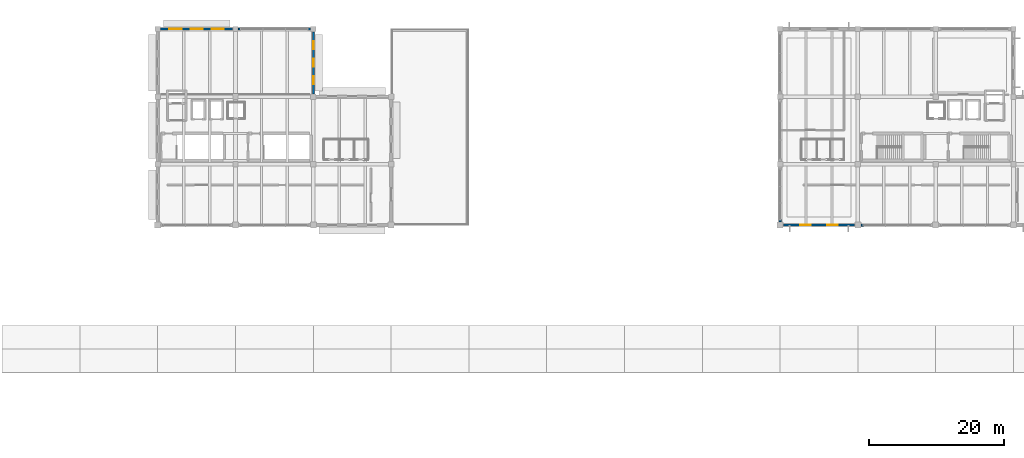
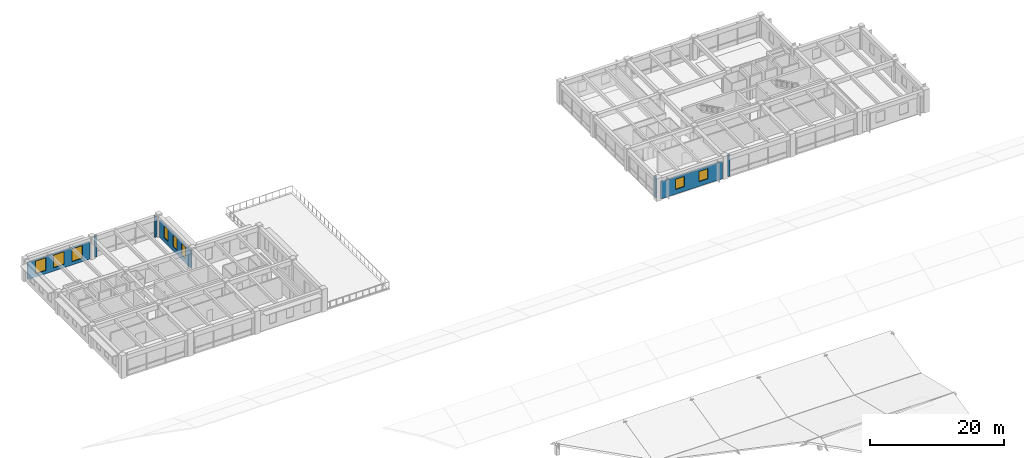
# One storey, part 27 of 33: 8 windows, 7 walls, 8 openings.
"""IFC4 building model written with IfcOpenShell, lengths in metres."""

from ifc_helpers import new_model, si_unit, direction, frame, frame_2d, origin, place, context, subcontext, project, spatial, rectangle, extrude, material, layer, layer_set, type_object, element, fill, save


model = new_model("IFC4")

# Units and contexts
model_context = context("Model", 3, precision=1e-05, world=origin(), true_north=direction((0.0, 1.0)))
body_context = subcontext(model_context, "Body", "Model", "MODEL_VIEW")
ifc_project = project(units=[si_unit("LENGTHUNIT", "METRE"), si_unit("AREAUNIT", "SQUARE_METRE"), si_unit("VOLUMEUNIT", "CUBIC_METRE"), si_unit("PLANEANGLEUNIT", "RADIAN"), si_unit("MASSUNIT", "GRAM", prefix="KILO")], contexts=[model_context])

# Site, building, storey
site_placement = place(None, origin())
site = spatial("IfcSite", under=ifc_project, at=site_placement, CompositionType="ELEMENT")
building_placement = place(site_placement, origin())
building = spatial("IfcBuilding", under=site, at=building_placement, Name="Ologun Quay Terminus", CompositionType="ELEMENT")
storey_placement = place(building_placement, frame((0.0, 0.0, 18.300048828125)))
storey = spatial("IfcBuildingStorey", under=building, at=storey_placement, Name="L04", CompositionType="ELEMENT", Elevation=18.300048828125)

# Wall, openings, windows
ifc_material_1 = material(Name="Concrete C40/50", Category="concrete")
ifc_layer = layer(ifc_material_1, 0.280029296875)
ifc_layer_set = layer_set([ifc_layer], Name="Concrete C40/50")
wall_type = type_object("IfcWallType", Name="Courtyard Wing Spandrel Concrete Wall 280", PredefinedType="SOLIDWALL", material=ifc_layer_set)
wall_1_placement = place(storey_placement, frame((46.0, 105.219970703125, 0.0), z_axis=(0.0, 0.0, 1.0), x_axis=(0.0, 1.0, 0.0)))
wall_1 = element("IfcWall", 1, at=wall_1_placement, inside=storey, type_object=wall_type, Name="EW-02 Facade Wall WEW-WW-O-L04-7", PredefinedType="SOLIDWALL", context=body_context, shape_type="SweptSolid", body=[
    extrude(rectangle(XDim=9.159912109375, YDim=0.280029296875, at=frame_2d((4.580078125, 0.0))), origin(), (0.0, 0.0, 1.0), 3.099853515625),
])
opening_1_placement = place(wall_1_placement, frame((1.389892578125, 0.0, 0.800048828125)))
opening_1 = element("IfcOpeningElement", 2, at=opening_1_placement, cuts=wall_1, Name="Opening WN-320", PredefinedType="OPENING", context=body_context, shape_type="SweptSolid", body=[
    extrude(rectangle(XDim=1.199951171875, YDim=2.10009765625, at=frame_2d((0.60009765625, 1.050048828125))), frame((0.0, 0.14990234375, 0.0), z_axis=(0.0, -1.0, 0.0), x_axis=(1.0, 0.0, 0.0)), (0.0, 0.0, 1.0), 0.300048828125),
])
opening_2_placement = place(wall_1_placement, frame((3.97998046875, 0.0, 0.800048828125)))
opening_2 = element("IfcOpeningElement", 3, at=opening_2_placement, cuts=wall_1, Name="Opening WN-321", PredefinedType="OPENING", context=body_context, shape_type="SweptSolid", body=[
    extrude(rectangle(XDim=1.199951171875, YDim=2.10009765625, at=frame_2d((0.60009765625, 1.050048828125))), frame((0.0, 0.14990234375, 0.0), z_axis=(0.0, -1.0, 0.0), x_axis=(1.0, 0.0, 0.0)), (0.0, 0.0, 1.0), 0.300048828125),
])
opening_3_placement = place(wall_1_placement, frame((6.570068359375, 0.0, 0.800048828125)))
opening_3 = element("IfcOpeningElement", 4, at=opening_3_placement, cuts=wall_1, Name="Opening WN-322", PredefinedType="OPENING", context=body_context, shape_type="SweptSolid", body=[
    extrude(rectangle(XDim=1.199951171875, YDim=2.10009765625, at=frame_2d((0.60009765625, 1.050048828125))), frame((0.0, 0.14990234375, 0.0), z_axis=(0.0, -1.0, 0.0), x_axis=(1.0, 0.0, 0.0)), (0.0, 0.0, 1.0), 0.300048828125),
])
ifc_material_2 = material(Name="Glass", Category="glass")
window_type_1 = type_object("IfcWindowType", Name="Archive Reading Slit Window 1200x2100", PartitioningType="SINGLE_PANEL", PredefinedType="WINDOW", material=ifc_material_2)
window_1_placement = place(opening_1_placement, origin())
window_1 = element("IfcWindow", 5, at=window_1_placement, inside=storey, type_object=window_type_1, Name="W-17 Window WN-320", OverallHeight=2.10009765625, OverallWidth=1.199951171875, PartitioningType="SINGLE_PANEL", PredefinedType="WINDOW", context=body_context, shape_type="SweptSolid", body=[
    extrude(rectangle(XDim=1.199951171875, YDim=2.10009765625, at=frame_2d((0.60009765625, 1.050048828125))), frame((0.0, 0.030029296875, 0.0), z_axis=(0.0, -1.0, 0.0), x_axis=(1.0, 0.0, 0.0)), (0.0, 0.0, 1.0), 0.06005859375),
])
fill(opening_1, window_1)
window_2_placement = place(opening_2_placement, origin())
window_2 = element("IfcWindow", 6, at=window_2_placement, inside=storey, type_object=window_type_1, Name="W-17 Window WN-321", OverallHeight=2.10009765625, OverallWidth=1.199951171875, PartitioningType="SINGLE_PANEL", PredefinedType="WINDOW", context=body_context, shape_type="SweptSolid", body=[
    extrude(rectangle(XDim=1.199951171875, YDim=2.10009765625, at=frame_2d((0.60009765625, 1.050048828125))), frame((0.0, 0.030029296875, 0.0), z_axis=(0.0, -1.0, 0.0), x_axis=(1.0, 0.0, 0.0)), (0.0, 0.0, 1.0), 0.06005859375),
])
fill(opening_2, window_2)
window_3_placement = place(opening_3_placement, origin())
window_3 = element("IfcWindow", 7, at=window_3_placement, inside=storey, type_object=window_type_1, Name="W-17 Window WN-322", OverallHeight=2.10009765625, OverallWidth=1.199951171875, PartitioningType="SINGLE_PANEL", PredefinedType="WINDOW", context=body_context, shape_type="SweptSolid", body=[
    extrude(rectangle(XDim=1.199951171875, YDim=2.10009765625, at=frame_2d((0.60009765625, 1.050048828125))), frame((0.0, 0.030029296875, 0.0), z_axis=(0.0, -1.0, 0.0), x_axis=(1.0, 0.0, 0.0)), (0.0, 0.0, 1.0), 0.06005859375),
])
fill(opening_3, window_3)

wall_2_placement = place(storey_placement, frame((23.419921875, 114.800048828125, 0.0), z_axis=(0.0, 0.0, 1.0), x_axis=(1.0, 0.0, 0.0)))
wall_2 = element("IfcWall", 8, at=wall_2_placement, inside=storey, type_object=wall_type, Name="EW-02 Facade Wall WEW-WW-N-L04-8", PredefinedType="SOLIDWALL", context=body_context, shape_type="SweptSolid", body=[
    extrude(rectangle(XDim=10.66015625, YDim=0.280029296875, at=frame_2d((5.330078125, 0.0))), origin(), (0.0, 0.0, 1.0), 3.099853515625),
])
opening_4_placement = place(wall_2_placement, frame((1.31494140625, 0.0, 0.60009765625)))
opening_4 = element("IfcOpeningElement", 9, at=opening_4_placement, cuts=wall_2, Name="Opening WN-323", PredefinedType="OPENING", context=body_context, shape_type="SweptSolid", body=[
    extrude(rectangle(XDim=1.800048828125, YDim=2.300048828125, at=frame_2d((0.89990234375, 1.14990234375))), frame((0.0, 0.14990234375, 0.0), z_axis=(0.0, -1.0, 0.0), x_axis=(1.0, 0.0, 0.0)), (0.0, 0.0, 1.0), 0.300048828125),
])
opening_5_placement = place(wall_2_placement, frame((4.429931640625, 0.0, 0.60009765625)))
opening_5 = element("IfcOpeningElement", 10, at=opening_5_placement, cuts=wall_2, Name="Opening WN-324", PredefinedType="OPENING", context=body_context, shape_type="SweptSolid", body=[
    extrude(rectangle(XDim=1.800048828125, YDim=2.300048828125, at=frame_2d((0.89990234375, 1.14990234375))), frame((0.0, 0.14990234375, 0.0), z_axis=(0.0, -1.0, 0.0), x_axis=(1.0, 0.0, 0.0)), (0.0, 0.0, 1.0), 0.300048828125),
])
opening_6_placement = place(wall_2_placement, frame((7.544921875, 0.0, 0.60009765625)))
opening_6 = element("IfcOpeningElement", 11, at=opening_6_placement, cuts=wall_2, Name="Opening WN-325", PredefinedType="OPENING", context=body_context, shape_type="SweptSolid", body=[
    extrude(rectangle(XDim=1.800048828125, YDim=2.300048828125, at=frame_2d((0.89990234375, 1.14990234375))), frame((0.0, 0.14990234375, 0.0), z_axis=(0.0, -1.0, 0.0), x_axis=(1.0, 0.0, 0.0)), (0.0, 0.0, 1.0), 0.300048828125),
])
ifc_material_3 = material(Name="Glass", Category="glass")
window_type_2 = type_object("IfcWindowType", Name="Tea Pavilion Arched Reveal Window 1800x2300", PartitioningType="SINGLE_PANEL", PredefinedType="WINDOW", material=ifc_material_3)
window_4_placement = place(opening_4_placement, origin())
window_4 = element("IfcWindow", 12, at=window_4_placement, inside=storey, type_object=window_type_2, Name="W-16 Window WN-323", OverallHeight=2.300048828125, OverallWidth=1.800048828125, PartitioningType="SINGLE_PANEL", PredefinedType="WINDOW", context=body_context, shape_type="SweptSolid", body=[
    extrude(rectangle(XDim=1.800048828125, YDim=2.300048828125, at=frame_2d((0.89990234375, 1.14990234375))), frame((0.0, 0.030029296875, 0.0), z_axis=(0.0, -1.0, 0.0), x_axis=(1.0, 0.0, 0.0)), (0.0, 0.0, 1.0), 0.06005859375),
])
fill(opening_4, window_4)
window_5_placement = place(opening_5_placement, origin())
window_5 = element("IfcWindow", 13, at=window_5_placement, inside=storey, type_object=window_type_2, Name="W-16 Window WN-324", OverallHeight=2.300048828125, OverallWidth=1.800048828125, PartitioningType="SINGLE_PANEL", PredefinedType="WINDOW", context=body_context, shape_type="SweptSolid", body=[
    extrude(rectangle(XDim=1.800048828125, YDim=2.300048828125, at=frame_2d((0.89990234375, 1.14990234375))), frame((0.0, 0.030029296875, 0.0), z_axis=(0.0, -1.0, 0.0), x_axis=(1.0, 0.0, 0.0)), (0.0, 0.0, 1.0), 0.06005859375),
])
fill(opening_5, window_5)
window_6_placement = place(opening_6_placement, origin())
window_6 = element("IfcWindow", 14, at=window_6_placement, inside=storey, type_object=window_type_2, Name="W-16 Window WN-325", OverallHeight=2.300048828125, OverallWidth=1.800048828125, PartitioningType="SINGLE_PANEL", PredefinedType="WINDOW", context=body_context, shape_type="SweptSolid", body=[
    extrude(rectangle(XDim=1.800048828125, YDim=2.300048828125, at=frame_2d((0.89990234375, 1.14990234375))), frame((0.0, 0.030029296875, 0.0), z_axis=(0.0, -1.0, 0.0), x_axis=(1.0, 0.0, 0.0)), (0.0, 0.0, 1.0), 0.06005859375),
])
fill(opening_6, window_6)

# Walls
for number, where, z_axis, x_axis, name in (
    (15, (34.919921875, 114.800048828125, 0.0), (0.0, 0.0, 1.0), (1.0, 0.0, 0.0), "Curtain Wall Jamb Pier CW-L04-117-J1"),
    (16, (45.22998046875, 114.800048828125, 0.0), (0.0, 0.0, 1.0), (1.0, 0.0, 0.0), "Curtain Wall Jamb Pier CW-L04-117-J2"),
):
    element("IfcWall", number, at=place(storey_placement, frame(where, z_axis=z_axis, x_axis=x_axis)), inside=storey, type_object=wall_type, Name=name, PredefinedType="SOLIDWALL", context=body_context, shape_type="SweptSolid", body=[
        extrude(rectangle(XDim=0.35009765625, YDim=0.280029296875, at=frame_2d((0.175048828125, 0.0))), origin(), (0.0, 0.0, 1.0), 3.889892578125),
    ])

# Wall, openings, windows
wall_3_placement = place(storey_placement, frame((115.469970703125, 85.800048828125, 0.0), z_axis=(0.0, 0.0, 1.0), x_axis=(1.0, 0.0, 0.0)))
wall_3 = element("IfcWall", 17, at=wall_3_placement, inside=storey, type_object=wall_type, Name="EW-02 Facade Wall WEW-EW-L04-1", PredefinedType="SOLIDWALL", context=body_context, shape_type="SweptSolid", body=[
    extrude(rectangle(XDim=10.56005859375, YDim=0.280029296875, at=frame_2d((5.280029296875, 0.0))), origin(), (0.0, 0.0, 1.0), 3.099853515625),
])
opening_7_placement = place(wall_3_placement, frame((2.48681640625, 0.0, 0.85009765625)))
opening_7 = element("IfcOpeningElement", 18, at=opening_7_placement, cuts=wall_3, Name="Opening WN-428", PredefinedType="OPENING", context=body_context, shape_type="SweptSolid", body=[
    extrude(rectangle(XDim=1.550048828125, YDim=1.85009765625, at=frame_2d((0.77490234375, 0.925048828125))), frame((0.0, 0.14990234375, 0.0), z_axis=(0.0, -1.0, 0.0), x_axis=(1.0, 0.0, 0.0)), (0.0, 0.0, 1.0), 0.300048828125),
])
opening_8_placement = place(wall_3_placement, frame((6.523193359375, 0.0, 0.85009765625)))
opening_8 = element("IfcOpeningElement", 19, at=opening_8_placement, cuts=wall_3, Name="Opening WN-429", PredefinedType="OPENING", context=body_context, shape_type="SweptSolid", body=[
    extrude(rectangle(XDim=1.550048828125, YDim=1.85009765625, at=frame_2d((0.77490234375, 0.925048828125))), frame((0.0, 0.14990234375, 0.0), z_axis=(0.0, -1.0, 0.0), x_axis=(1.0, 0.0, 0.0)), (0.0, 0.0, 1.0), 0.300048828125),
])
ifc_material_4 = material(Name="Glass", Category="glass")
window_type_3 = type_object("IfcWindowType", Name="Emergency Centre Blast-Laminated Window 1550x1850", PartitioningType="SINGLE_PANEL", PredefinedType="WINDOW", material=ifc_material_4)
window_7_placement = place(opening_7_placement, origin())
window_7 = element("IfcWindow", 20, at=window_7_placement, inside=storey, type_object=window_type_3, Name="W-23 Window WN-428", OverallHeight=1.85009765625, OverallWidth=1.550048828125, PartitioningType="SINGLE_PANEL", PredefinedType="WINDOW", context=body_context, shape_type="SweptSolid", body=[
    extrude(rectangle(XDim=1.550048828125, YDim=1.85009765625, at=frame_2d((0.77490234375, 0.925048828125))), frame((0.0, 0.030029296875, 0.0), z_axis=(0.0, -1.0, 0.0), x_axis=(1.0, 0.0, 0.0)), (0.0, 0.0, 1.0), 0.06005859375),
])
fill(opening_7, window_7)
window_8_placement = place(opening_8_placement, origin())
window_8 = element("IfcWindow", 21, at=window_8_placement, inside=storey, type_object=window_type_3, Name="W-23 Window WN-429", OverallHeight=1.85009765625, OverallWidth=1.550048828125, PartitioningType="SINGLE_PANEL", PredefinedType="WINDOW", context=body_context, shape_type="SweptSolid", body=[
    extrude(rectangle(XDim=1.550048828125, YDim=1.85009765625, at=frame_2d((0.77490234375, 0.925048828125))), frame((0.0, 0.030029296875, 0.0), z_axis=(0.0, -1.0, 0.0), x_axis=(1.0, 0.0, 0.0)), (0.0, 0.0, 1.0), 0.06005859375),
])
fill(opening_8, window_8)

# Walls
for number, where, z_axis, x_axis, name in (
    (22, (126.969970703125, 85.800048828125, 0.0), (0.0, 0.0, 1.0), (1.0, 0.0, 0.0), "Curtain Wall Jamb Pier CW-L04-145-J1"),
    (23, (115.0, 86.27001953125, 0.0), (0.0, 0.0, 1.0), (0.0, 1.0, 0.0), "Curtain Wall Jamb Pier CW-L04-149-J1"),
):
    element("IfcWall", number, at=place(storey_placement, frame(where, z_axis=z_axis, x_axis=x_axis)), inside=storey, type_object=wall_type, Name=name, PredefinedType="SOLIDWALL", context=body_context, shape_type="SweptSolid", body=[
        extrude(rectangle(XDim=0.35009765625, YDim=0.280029296875, at=frame_2d((0.175048828125, 0.0))), origin(), (0.0, 0.0, 1.0), 3.889892578125),
    ])

save(model, "model.ifc")
